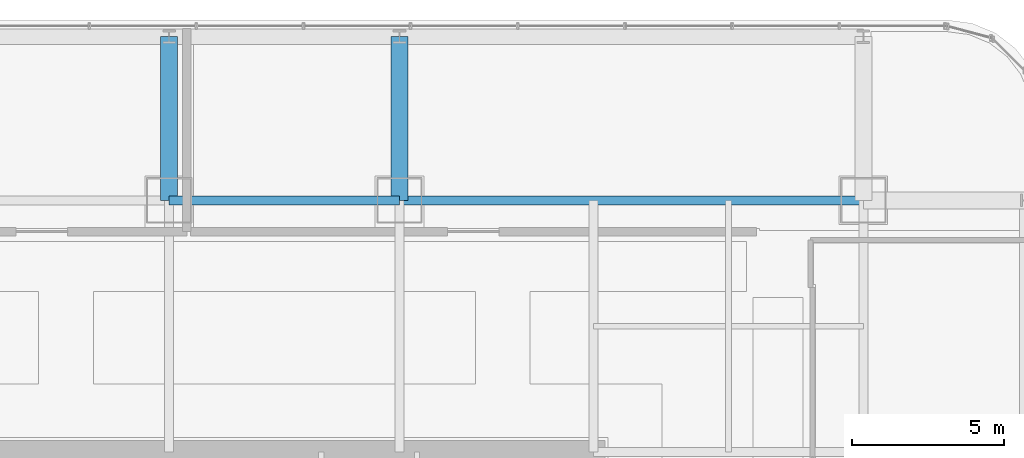
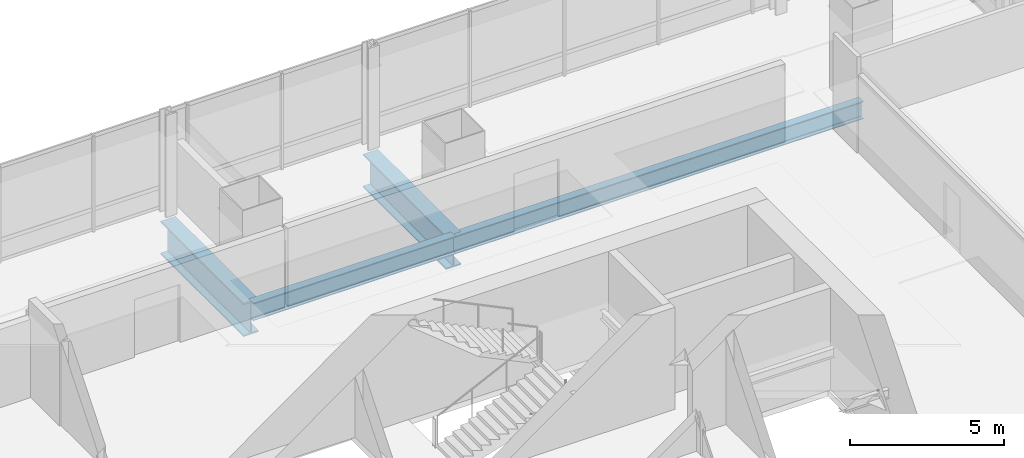
# One storey, part 20 of 34: 4 beams.
"""IFC4 building model written with IfcOpenShell, lengths in metres."""

from ifc_helpers import new_model, si_unit, direction, frame, origin, origin_2d, place, context, subcontext, project, spatial, i_section, extrude, material, material_profile, profile_set, type_object, element, save


model = new_model("IFC4")

# Units and contexts
model_context = context("Model", 3, precision=1e-05, world=origin(), true_north=direction((0.0, 1.0)))
body_context = subcontext(model_context, "Body", "Model", "MODEL_VIEW")
ifc_project = project(units=[si_unit("LENGTHUNIT", "METRE"), si_unit("AREAUNIT", "SQUARE_METRE"), si_unit("VOLUMEUNIT", "CUBIC_METRE"), si_unit("PLANEANGLEUNIT", "RADIAN"), si_unit("MASSUNIT", "GRAM", prefix="KILO")], contexts=[model_context])

# Site, building, storey
site_placement = place(None, origin())
site = spatial("IfcSite", under=ifc_project, at=site_placement, CompositionType="ELEMENT")
building_placement = place(site_placement, origin())
building = spatial("IfcBuilding", under=site, at=building_placement, Name="Punatoya Terracotta Tower", CompositionType="ELEMENT")
storey_placement = place(building_placement, frame((0.0, 0.0, 97.050048828125)))
storey = spatial("IfcBuildingStorey", under=building, at=storey_placement, Name="L22", CompositionType="ELEMENT", Elevation=97.050048828125)

# Beams
ifc_material_1 = material(Name="Steel S355", Category="steel")
ifc_material_profile_1 = material_profile(ifc_material_1, i_section(OverallWidth=0.300048828125, OverallDepth=0.699951171875, WebThickness=0.01708984375, FlangeThickness=0.031982421875, FilletRadius=0.01806640625, at=origin_2d()))
ifc_profile_set_1 = profile_set([ifc_material_profile_1], Name="Steel S355")
beam_type_1 = type_object("IfcBeamType", Name="BM-PRI-700", PredefinedType="BEAM", material=ifc_profile_set_1)
beam_1_placement = place(storey_placement, frame((-3.800048828125, 17.5, -0.590087890625), z_axis=(1.0, 0.0, 0.0), x_axis=(0.0, 1.0, 0.0)))
element("IfcBeam", 1, at=beam_1_placement, inside=storey, type_object=beam_type_1, Name="BM-L22-RG-N2", PredefinedType="BEAM", context=body_context, shape_type="SweptSolid", body=[
    extrude(i_section(OverallWidth=0.300048828125, OverallDepth=0.699951171875, WebThickness=0.01708984375, FlangeThickness=0.031982421875, FilletRadius=0.01806640625, at=origin_2d()), origin(), (0.0, 0.0, 1.0), 7.60009765625),
])
beam_2_placement = place(storey_placement, frame((3.800048828125, 17.5, -0.590087890625), z_axis=(1.0, 0.0, 0.0), x_axis=(0.0, 1.0, 0.0)))
element("IfcBeam", 2, at=beam_2_placement, inside=storey, type_object=beam_type_1, Name="BM-L22-RG-N3", PredefinedType="BEAM", context=body_context, shape_type="SweptSolid", body=[
    extrude(i_section(OverallWidth=0.300048828125, OverallDepth=0.699951171875, WebThickness=0.01708984375, FlangeThickness=0.031982421875, FilletRadius=0.01806640625, at=origin_2d()), origin(), (0.0, 0.0, 1.0), 15.300048828125),
])
ifc_material_2 = material(Name="Steel S460", Category="steel")
ifc_material_profile_2 = material_profile(ifc_material_2, i_section(OverallWidth=0.56005859375, OverallDepth=1.320068359375, WebThickness=0.035888671875, FlangeThickness=0.054931640625, FilletRadius=0.01806640625, at=origin_2d()))
ifc_profile_set_2 = profile_set([ifc_material_profile_2], Name="Steel S460")
beam_type_2 = type_object("IfcBeamType", Name="BM-TG-BLK", PredefinedType="BEAM", material=ifc_profile_set_2)
for number, where, z_axis, x_axis, name in (
    (3, (-3.800048828125, 17.5, -0.900146484375), (0.0, 1.0, 0.0), (-1.0, 0.0, 0.0), "BM-L22-CANT-N2"),
    (4, (3.800048828125, 17.5, -0.900146484375), (0.0, 1.0, 0.0), (-1.0, 0.0, 0.0), "BM-L22-CANT-N3"),
):
    element("IfcBeam", number, at=place(storey_placement, frame(where, z_axis=z_axis, x_axis=x_axis)), inside=storey, type_object=beam_type_2, Name=name, PredefinedType="BEAM", context=body_context, shape_type="SweptSolid", body=[
        extrude(i_section(OverallWidth=0.56005859375, OverallDepth=1.320068359375, WebThickness=0.035888671875, FlangeThickness=0.054931640625, FilletRadius=0.01806640625, at=origin_2d()), origin(), (0.0, 0.0, 1.0), 5.39990234375),
    ])

save(model, "model.ifc")
